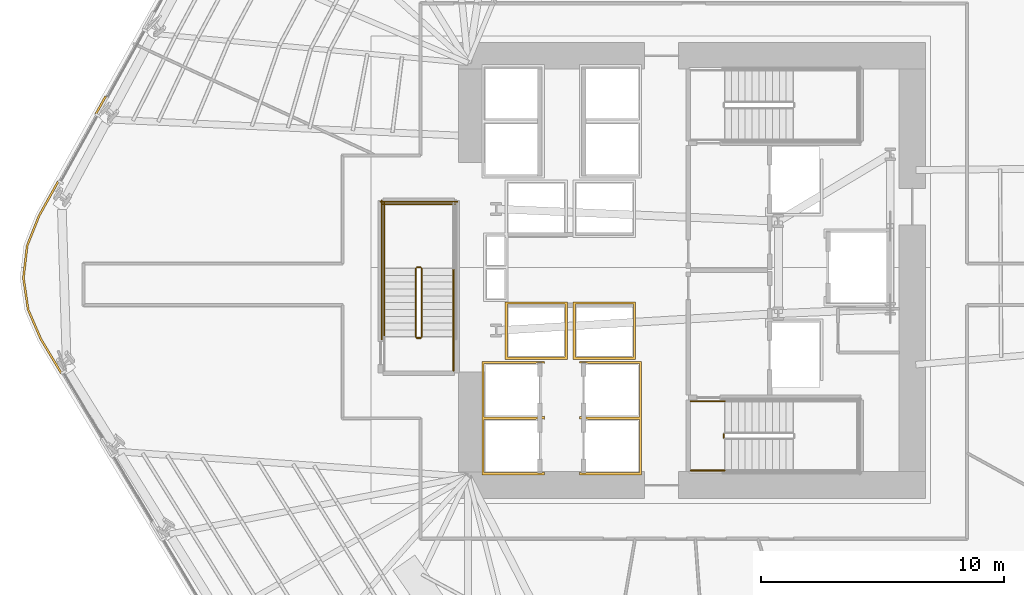
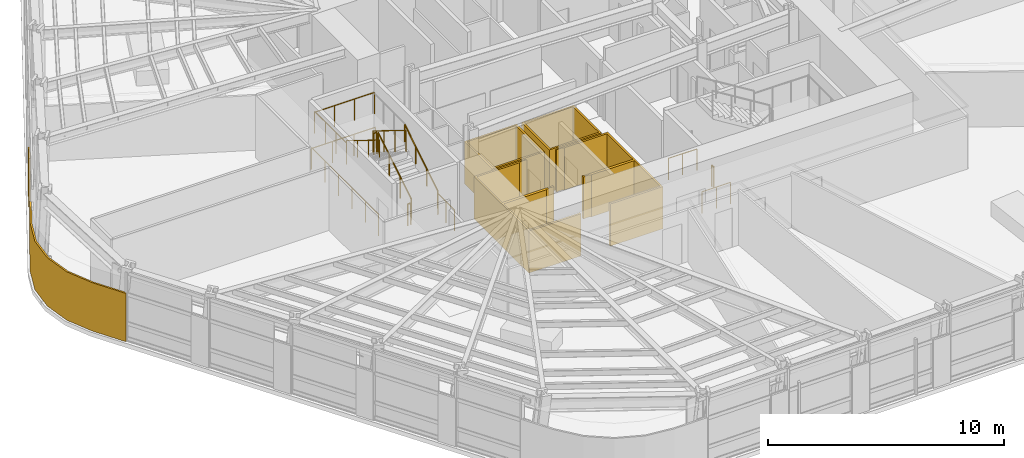
# One storey, part 11 of 15: 14 railings, 6 coverings.
"""IFC4 building model written with IfcOpenShell, lengths in metres."""

from ifc_helpers import new_model, si_unit, direction, frame, origin, origin_2d, place, context, subcontext, project, spatial, polyline, circle, outline, extrude, material, layer, layer_set, type_object, element, save


model = new_model("IFC4")

# Units and contexts
model_context = context("Model", 3, precision=1e-05, world=origin(), true_north=direction((0.0, 1.0)))
body_context = subcontext(model_context, "Body", "Model", "MODEL_VIEW")
ifc_project = project(units=[si_unit("LENGTHUNIT", "METRE"), si_unit("AREAUNIT", "SQUARE_METRE"), si_unit("VOLUMEUNIT", "CUBIC_METRE"), si_unit("PLANEANGLEUNIT", "RADIAN"), si_unit("MASSUNIT", "GRAM", prefix="KILO")], contexts=[model_context])

# Site, building, storey
site_placement = place(None, origin())
site = spatial("IfcSite", under=ifc_project, at=site_placement, CompositionType="ELEMENT")
building_placement = place(site_placement, origin())
building = spatial("IfcBuilding", under=site, at=building_placement, Name="Valkerne Bourse Tower", CompositionType="ELEMENT")
storey_placement = place(building_placement, frame((0.0, 0.0, 27.800048828125)))
storey = spatial("IfcBuildingStorey", under=building, at=storey_placement, Name="L06", CompositionType="ELEMENT", Elevation=27.800048828125)

# Coverings
ifc_material_1 = material(Name="Bronze Anodised Aluminium AA 6063-T6", Category="aluminium")
ifc_layer_1 = layer(ifc_material_1, 0.06005859375)
ifc_layer_set_1 = layer_set([ifc_layer_1], Name="Bronze Anodised Aluminium AA 6063-T6")
covering_type_1 = type_object("IfcCoveringType", Name="COV-CRN-ALUM", PredefinedType="CLADDING", material=ifc_layer_set_1)
covering_1_placement = place(storey_placement, origin())
element("IfcCovering", 1, at=covering_1_placement, inside=storey, type_object=covering_type_1, Name="L06 Wind-Shaped Corner Aluminium Cladding 11", PredefinedType="CLADDING", context=body_context, shape_type="SweptSolid", body=[
    extrude(outline(polyline([(20.01123046875, 24.023193359375), (19.47998046875, 25.2509765625), (19.285400390625, 26.56787109375), (19.4384765625, 27.89013671875), (19.930908203125, 29.1337890625), (20.726318359375, 30.559814453125), (20.796142578125, 30.52099609375), (20.00341796875, 29.099609375), (19.5166015625, 27.87060546875), (19.3662109375, 26.569091796875), (19.5576171875, 25.27294921875), (20.08251953125, 24.059814453125), (20.919677734375, 22.663818359375), (20.85107421875, 22.622802734375), (20.01123046875, 24.023193359375)])), origin(), (0.0, 0.0, 1.0), 2.5),
])
covering_2_placement = place(storey_placement, origin())
element("IfcCovering", 2, at=covering_2_placement, inside=storey, type_object=covering_type_1, Name="L06 Wind-Shaped Corner Aluminium Cladding 12", PredefinedType="CLADDING", context=body_context, shape_type="SweptSolid", body=[
    extrude(outline(polyline([(22.6728515625, 34.0498046875), (22.74267578125, 34.0107421875), (22.33349609375, 33.27734375), (22.263671875, 33.316162109375), (22.6728515625, 34.0498046875)])), origin(), (0.0, 0.0, 1.0), 2.5),
])
ifc_material_2 = material(Name="Gypsum Shaftwall Liner Board", Category="gypsum")
ifc_layer_2 = layer(ifc_material_2, 0.080078125)
ifc_layer_set_2 = layer_set([ifc_layer_2], Name="Gypsum Shaftwall Liner Board")
covering_type_2 = type_object("IfcCoveringType", Name="COV-SHF-CLAD", PredefinedType="CLADDING", material=ifc_layer_set_2)
covering_3_placement = place(storey_placement, origin())
element("IfcCovering", 3, at=covering_3_placement, inside=storey, type_object=covering_type_2, Name="L06 Hoistway & Riser Shaftwall Liner 01", PredefinedType="CLADDING", context=body_context, shape_type="SweptSolid", body=[
    extrude(outline(polyline([(38.169921875, 23.1298828125), (40.72998046875, 23.1298828125), (40.72998046875, 23.052001953125), (40.72216796875, 23.0556640625), (40.6806640625, 23.070556640625), (40.6376953125, 23.081298828125), (40.593994140625, 23.087890625), (40.550048828125, 23.090087890625), (40.505859375, 23.087890625), (40.462158203125, 23.081298828125), (40.41943359375, 23.070556640625), (40.377685546875, 23.0556640625), (40.344482421875, 23.0400390625), (38.260009765625, 23.0400390625), (38.260009765625, 20.860107421875), (40.456787109375, 20.860107421875), (40.462158203125, 20.858642578125), (40.505859375, 20.852294921875), (40.550048828125, 20.85009765625), (40.593994140625, 20.852294921875), (40.6376953125, 20.858642578125), (40.6806640625, 20.869384765625), (40.72216796875, 20.88427734375), (40.72998046875, 20.887939453125), (40.72998046875, 20.830078125), (40.72998046875, 20.77001953125), (40.72998046875, 20.752197265625), (40.72216796875, 20.755615234375), (40.6806640625, 20.7705078125), (40.6376953125, 20.781494140625), (40.593994140625, 20.787841796875), (40.550048828125, 20.7900390625), (40.505859375, 20.787841796875), (40.462158203125, 20.781494140625), (40.41943359375, 20.7705078125), (40.377685546875, 20.755615234375), (40.344482421875, 20.739990234375), (38.260009765625, 20.739990234375), (38.260009765625, 18.56005859375), (40.456787109375, 18.56005859375), (40.462158203125, 18.55859375), (40.505859375, 18.55224609375), (40.550048828125, 18.550048828125), (40.593994140625, 18.55224609375), (40.6376953125, 18.55859375), (40.6806640625, 18.5693359375), (40.72216796875, 18.584228515625), (40.72998046875, 18.587890625), (40.72998046875, 18.469970703125), (38.169921875, 18.469970703125), (38.169921875, 20.77001953125), (38.169921875, 20.830078125), (38.169921875, 23.1298828125)])), origin(), (0.0, 0.0, 1.0), 2.179931640625),
])
covering_4_placement = place(storey_placement, origin())
element("IfcCovering", 4, at=covering_4_placement, inside=storey, type_object=covering_type_2, Name="L06 Hoistway & Riser Shaftwall Liner 02", PredefinedType="CLADDING", context=body_context, shape_type="SweptSolid", body=[
    extrude(outline(polyline([(41.679931640625, 23.219970703125), (39.1201171875, 23.219970703125), (39.1201171875, 25.580078125), (41.679931640625, 25.580078125), (41.679931640625, 23.219970703125)]), holes=[polyline([(39.2099609375, 25.489990234375), (39.2099609375, 23.31005859375), (41.590087890625, 23.31005859375), (41.590087890625, 25.489990234375), (39.2099609375, 25.489990234375)])]), origin(), (0.0, 0.0, 1.0), 2.179931640625),
])
covering_5_placement = place(storey_placement, origin())
element("IfcCovering", 5, at=covering_5_placement, inside=storey, type_object=covering_type_2, Name="L06 Hoistway & Riser Shaftwall Liner 03", PredefinedType="CLADDING", context=body_context, shape_type="SweptSolid", body=[
    extrude(outline(polyline([(44.47998046875, 23.219970703125), (41.919921875, 23.219970703125), (41.919921875, 25.580078125), (44.47998046875, 25.580078125), (44.47998046875, 23.219970703125)]), holes=[polyline([(42.010009765625, 25.489990234375), (42.010009765625, 23.31005859375), (44.389892578125, 23.31005859375), (44.389892578125, 25.489990234375), (42.010009765625, 25.489990234375)])]), origin(), (0.0, 0.0, 1.0), 2.179931640625),
])
covering_6_placement = place(storey_placement, origin())
element("IfcCovering", 6, at=covering_6_placement, inside=storey, type_object=covering_type_2, Name="L06 Hoistway & Riser Shaftwall Liner 06", PredefinedType="CLADDING", context=body_context, shape_type="SweptSolid", body=[
    extrude(outline(polyline([(42.169921875, 20.830078125), (42.169921875, 20.887939453125), (42.177734375, 20.88427734375), (42.219482421875, 20.869384765625), (42.26220703125, 20.858642578125), (42.305908203125, 20.852294921875), (42.35009765625, 20.85009765625), (42.39404296875, 20.852294921875), (42.437744140625, 20.858642578125), (42.443115234375, 20.860107421875), (44.639892578125, 20.860107421875), (44.639892578125, 23.0400390625), (42.555419921875, 23.0400390625), (42.522216796875, 23.0556640625), (42.480712890625, 23.070556640625), (42.437744140625, 23.081298828125), (42.39404296875, 23.087890625), (42.35009765625, 23.090087890625), (42.305908203125, 23.087890625), (42.26220703125, 23.081298828125), (42.219482421875, 23.070556640625), (42.177734375, 23.0556640625), (42.169921875, 23.052001953125), (42.169921875, 23.1298828125), (44.72998046875, 23.1298828125), (44.72998046875, 20.830078125), (44.72998046875, 20.77001953125), (44.72998046875, 18.469970703125), (42.169921875, 18.469970703125), (42.169921875, 18.587890625), (42.177734375, 18.584228515625), (42.219482421875, 18.5693359375), (42.26220703125, 18.55859375), (42.305908203125, 18.55224609375), (42.35009765625, 18.550048828125), (42.39404296875, 18.55224609375), (42.437744140625, 18.55859375), (42.443115234375, 18.56005859375), (44.639892578125, 18.56005859375), (44.639892578125, 20.739990234375), (42.555419921875, 20.739990234375), (42.522216796875, 20.755615234375), (42.480712890625, 20.7705078125), (42.437744140625, 20.781494140625), (42.39404296875, 20.787841796875), (42.35009765625, 20.7900390625), (42.305908203125, 20.787841796875), (42.26220703125, 20.781494140625), (42.219482421875, 20.7705078125), (42.177734375, 20.755615234375), (42.169921875, 20.752197265625), (42.169921875, 20.77001953125), (42.169921875, 20.830078125)])), origin(), (0.0, 0.0, 1.0), 2.179931640625),
])

# Railings
ifc_material_3 = material(Name="Galvanised Painted Steel", Category="steel")
railing_type_1 = type_object("IfcRailingType", Name="RLG-ST-GUARD-1120", PredefinedType="GUARDRAIL", material=ifc_material_3)
railing_1_placement = place(storey_placement, frame((48.10009765625, 20.0, 0.0)))
element("IfcRailing", 7, at=railing_1_placement, inside=storey, type_object=railing_type_1, Name="L06 ST-1 stair guard 7", PredefinedType="GUARDRAIL", context=body_context, shape_type="SweptSolid", body=[
    extrude(circle(Radius=0.02392578125, at=origin_2d()), frame((0.0, 0.0, 1.09619140625), z_axis=(0.0, 1.0, 0.0), x_axis=(-1.0, 0.0, 0.0)), (0.0, 0.0, 1.0), 0.14990234375),
    extrude(circle(Radius=0.02099609375, at=origin_2d()), origin(), (0.0, 0.0, 1.0), 1.072021484375),
    extrude(circle(Radius=0.02099609375, at=origin_2d()), frame((0.0, 0.14990234375, 0.0)), (0.0, 0.0, 1.0), 1.072021484375),
])
for number, where, name in (
    (8, (46.75, 18.64990234375, 0.0), "L06 ST-1 stair guard 8"),
    (9, (46.75, 21.5, 0.0), "L06 ST-1 stair guard 9"),
):
    element("IfcRailing", number, at=place(storey_placement, frame(where)), inside=storey, type_object=railing_type_1, Name=name, PredefinedType="GUARDRAIL", context=body_context, shape_type="SweptSolid", body=[
        extrude(circle(Radius=0.02392578125, at=origin_2d()), frame((0.0, 0.0, 1.09619140625), z_axis=(1.0, 0.0, 0.0), x_axis=(0.0, 1.0, 0.0)), (0.0, 0.0, 1.0), 1.39990234375),
        extrude(circle(Radius=0.02099609375, at=origin_2d()), origin(), (0.0, 0.0, 1.0), 1.072021484375),
        extrude(circle(Radius=0.02099609375, at=origin_2d()), frame((0.699951171875, 0.0, 0.0)), (0.0, 0.0, 1.0), 1.072021484375),
        extrude(circle(Radius=0.02099609375, at=origin_2d()), frame((1.39990234375, 0.0, 0.0)), (0.0, 0.0, 1.0), 1.072021484375),
    ])
railing_2_placement = place(storey_placement, frame((35.699951171875, 24.14990234375, 0.172607421875)))
element("IfcRailing", 10, at=railing_2_placement, inside=storey, type_object=railing_type_1, Name="L06 ST-3 stair guard 1", PredefinedType="GUARDRAIL", context=body_context, shape_type="SweptSolid", body=[
    extrude(circle(Radius=0.02392578125, at=origin_2d()), frame((0.0, 0.0, 1.09619140625), z_axis=(0.0, 0.851089632645, 0.525020415988), x_axis=(-1.0, 0.0, 0.0)), (0.0, 0.0, 1.0), 3.2900390625),
    extrude(circle(Radius=0.02099609375, at=origin_2d()), origin(), (0.0, 0.0, 1.0), 1.072021484375),
    extrude(circle(Radius=0.02099609375, at=origin_2d()), frame((0.0, 0.933349609375, 0.57568359375)), (0.0, 0.0, 1.0), 1.072021484375),
    extrude(circle(Radius=0.02099609375, at=origin_2d()), frame((0.0, 1.86669921875, 1.151611328125)), (0.0, 0.0, 1.0), 1.072021484375),
    extrude(circle(Radius=0.02099609375, at=origin_2d()), frame((0.0, 2.800048828125, 1.727294921875)), (0.0, 0.0, 1.0), 1.072021484375),
])
railing_3_placement = place(storey_placement, frame((35.64990234375, 27.0, 1.89990234375)))
element("IfcRailing", 11, at=railing_3_placement, inside=storey, type_object=railing_type_1, Name="L06 ST-3 stair guard 2", PredefinedType="GUARDRAIL", context=body_context, shape_type="SweptSolid", body=[
    extrude(circle(Radius=0.02392578125, at=origin_2d()), frame((0.0, 0.0, 1.09619140625), z_axis=(-1.0, 0.0, 0.0), x_axis=(0.0, -1.0, 0.0)), (0.0, 0.0, 1.0), 0.14990234375),
    extrude(circle(Radius=0.02099609375, at=origin_2d()), origin(), (0.0, 0.0, 1.0), 1.072021484375),
    extrude(circle(Radius=0.02099609375, at=origin_2d()), frame((-0.14990234375, 0.0, 0.0)), (0.0, 0.0, 1.0), 1.072021484375),
])
railing_4_placement = place(storey_placement, frame((34.14990234375, 26.949951171875, 1.89990234375)))
element("IfcRailing", 12, at=railing_4_placement, inside=storey, type_object=railing_type_1, Name="L06 ST-3 stair guard 4", PredefinedType="GUARDRAIL", context=body_context, shape_type="SweptSolid", body=[
    extrude(circle(Radius=0.02392578125, at=origin_2d()), frame((0.0, 0.0, 1.09619140625), z_axis=(0.0, 1.0, 0.0), x_axis=(-1.0, 0.0, 0.0)), (0.0, 0.0, 1.0), 2.699951171875),
    extrude(circle(Radius=0.02099609375, at=origin_2d()), origin(), (0.0, 0.0, 1.0), 1.072021484375),
    extrude(circle(Radius=0.02099609375, at=origin_2d()), frame((0.0, 0.89990234375, 0.0)), (0.0, 0.0, 1.0), 1.072021484375),
    extrude(circle(Radius=0.02099609375, at=origin_2d()), frame((0.0, 1.800048828125, 0.0)), (0.0, 0.0, 1.0), 1.072021484375),
    extrude(circle(Radius=0.02099609375, at=origin_2d()), frame((0.0, 2.699951171875, 0.0)), (0.0, 0.0, 1.0), 1.072021484375),
])
railing_5_placement = place(storey_placement, frame((37.050048828125, 29.60009765625, 1.89990234375)))
element("IfcRailing", 13, at=railing_5_placement, inside=storey, type_object=railing_type_1, Name="L06 ST-3 stair guard 5", PredefinedType="GUARDRAIL", context=body_context, shape_type="SweptSolid", body=[
    extrude(circle(Radius=0.02392578125, at=origin_2d()), frame((0.0, 0.0, 1.09619140625), z_axis=(-1.0, 0.0, 0.0), x_axis=(0.0, -1.0, 0.0)), (0.0, 0.0, 1.0), 2.949951171875),
    extrude(circle(Radius=0.02099609375, at=origin_2d()), origin(), (0.0, 0.0, 1.0), 1.072021484375),
    extrude(circle(Radius=0.02099609375, at=origin_2d()), frame((-0.9833984375, 0.0, 0.0)), (0.0, 0.0, 1.0), 1.072021484375),
    extrude(circle(Radius=0.02099609375, at=origin_2d()), frame((-1.966552734375, 0.0, 0.0)), (0.0, 0.0, 1.0), 1.072021484375),
    extrude(circle(Radius=0.02099609375, at=origin_2d()), frame((-2.949951171875, 0.0, 0.0)), (0.0, 0.0, 1.0), 1.072021484375),
])
railing_6_placement = place(storey_placement, frame((35.449951171875, 26.949951171875, 2.07275390625)))
element("IfcRailing", 14, at=railing_6_placement, inside=storey, type_object=railing_type_1, Name="L06 ST-3 stair guard 6", PredefinedType="GUARDRAIL", context=body_context, shape_type="SweptSolid", body=[
    extrude(circle(Radius=0.02392578125, at=origin_2d()), frame((0.0, 0.0, 1.09619140625), z_axis=(0.0, -0.851089632645, 0.525020415988), x_axis=(1.0, 0.0, 0.0)), (0.0, 0.0, 1.0), 3.2900390625),
    extrude(circle(Radius=0.02099609375, at=origin_2d()), origin(), (0.0, 0.0, 1.0), 1.072021484375),
    extrude(circle(Radius=0.02099609375, at=origin_2d()), frame((0.0, -0.933349609375, 0.57568359375)), (0.0, 0.0, 1.0), 1.072021484375),
    extrude(circle(Radius=0.02099609375, at=origin_2d()), frame((0.0, -1.86669921875, 1.151611328125)), (0.0, 0.0, 1.0), 1.072021484375),
    extrude(circle(Radius=0.02099609375, at=origin_2d()), frame((0.0, -2.800048828125, 1.727294921875)), (0.0, 0.0, 1.0), 1.072021484375),
])
railing_7_placement = place(storey_placement, frame((35.64990234375, 24.10009765625, 0.0)))
element("IfcRailing", 15, at=railing_7_placement, inside=storey, type_object=railing_type_1, Name="L06 ST-3 stair guard 7", PredefinedType="GUARDRAIL", context=body_context, shape_type="SweptSolid", body=[
    extrude(circle(Radius=0.02392578125, at=origin_2d()), frame((0.0, 0.0, 1.09619140625), z_axis=(-1.0, 0.0, 0.0), x_axis=(0.0, -1.0, 0.0)), (0.0, 0.0, 1.0), 0.14990234375),
    extrude(circle(Radius=0.02099609375, at=origin_2d()), origin(), (0.0, 0.0, 1.0), 1.072021484375),
    extrude(circle(Radius=0.02099609375, at=origin_2d()), frame((-0.14990234375, 0.0, 0.0)), (0.0, 0.0, 1.0), 1.072021484375),
])
railing_8_placement = place(storey_placement, frame((37.0, 22.75, 0.0)))
element("IfcRailing", 16, at=railing_8_placement, inside=storey, type_object=railing_type_1, Name="L06 ST-3 stair guard 8", PredefinedType="GUARDRAIL", context=body_context, shape_type="SweptSolid", body=[
    extrude(circle(Radius=0.02392578125, at=origin_2d()), frame((0.0, 0.0, 1.09619140625), z_axis=(0.0, 1.0, 0.0), x_axis=(-1.0, 0.0, 0.0)), (0.0, 0.0, 1.0), 1.39990234375),
    extrude(circle(Radius=0.02099609375, at=origin_2d()), origin(), (0.0, 0.0, 1.0), 1.072021484375),
    extrude(circle(Radius=0.02099609375, at=origin_2d()), frame((0.0, 0.699951171875, 0.0)), (0.0, 0.0, 1.0), 1.072021484375),
    extrude(circle(Radius=0.02099609375, at=origin_2d()), frame((0.0, 1.39990234375, 0.0)), (0.0, 0.0, 1.0), 1.072021484375),
])
railing_9_placement = place(storey_placement, frame((34.050048828125, 24.050048828125, 0.0)))
element("IfcRailing", 17, at=railing_9_placement, inside=storey, type_object=railing_type_1, Name="L06 ST-3 stair guard 11", PredefinedType="GUARDRAIL", context=body_context, shape_type="SweptSolid", body=[
    extrude(circle(Radius=0.02392578125, at=origin_2d()), frame((0.0, 0.0, 1.09619140625), z_axis=(0.0, 1.0, 0.0), x_axis=(-1.0, 0.0, 0.0)), (0.0, 0.0, 1.0), 5.699951171875),
    extrude(circle(Radius=0.02099609375, at=origin_2d()), origin(), (0.0, 0.0, 1.0), 1.072021484375),
    extrude(circle(Radius=0.02099609375, at=origin_2d()), frame((0.0, 1.139892578125, 0.0)), (0.0, 0.0, 1.0), 1.072021484375),
    extrude(circle(Radius=0.02099609375, at=origin_2d()), frame((0.0, 2.280029296875, 0.0)), (0.0, 0.0, 1.0), 1.072021484375),
    extrude(circle(Radius=0.02099609375, at=origin_2d()), frame((0.0, 3.419921875, 0.0)), (0.0, 0.0, 1.0), 1.072021484375),
    extrude(circle(Radius=0.02099609375, at=origin_2d()), frame((0.0, 4.56005859375, 0.0)), (0.0, 0.0, 1.0), 1.072021484375),
    extrude(circle(Radius=0.02099609375, at=origin_2d()), frame((0.0, 5.699951171875, 0.0)), (0.0, 0.0, 1.0), 1.072021484375),
])
railing_10_placement = place(storey_placement, frame((37.14990234375, 29.699951171875, 0.0)))
element("IfcRailing", 18, at=railing_10_placement, inside=storey, type_object=railing_type_1, Name="L06 ST-3 stair guard 12", PredefinedType="GUARDRAIL", context=body_context, shape_type="SweptSolid", body=[
    extrude(circle(Radius=0.02392578125, at=origin_2d()), frame((0.0, 0.0, 1.09619140625), z_axis=(-1.0, 0.0, 0.0), x_axis=(0.0, -1.0, 0.0)), (0.0, 0.0, 1.0), 3.14990234375),
    extrude(circle(Radius=0.02099609375, at=origin_2d()), origin(), (0.0, 0.0, 1.0), 1.072021484375),
    extrude(circle(Radius=0.02099609375, at=origin_2d()), frame((-1.050048828125, 0.0, 0.0)), (0.0, 0.0, 1.0), 1.072021484375),
    extrude(circle(Radius=0.02099609375, at=origin_2d()), frame((-2.099853515625, 0.0, 0.0)), (0.0, 0.0, 1.0), 1.072021484375),
    extrude(circle(Radius=0.02099609375, at=origin_2d()), frame((-3.14990234375, 0.0, 0.0)), (0.0, 0.0, 1.0), 1.072021484375),
])
ifc_material_4 = material(Name="Stainless Steel AISI 316", Category="steel")
railing_type_2 = type_object("IfcRailingType", Name="RLG-ST-HANDRAIL-900", PredefinedType="HANDRAIL", material=ifc_material_4)
railing_11_placement = place(storey_placement, frame((37.0, 24.14990234375, 0.345458984375)))
element("IfcRailing", 19, at=railing_11_placement, inside=storey, type_object=railing_type_2, Name="L06 ST-3 stair handrail 1", PredefinedType="HANDRAIL", context=body_context, shape_type="SweptSolid", body=[
    extrude(circle(Radius=0.02392578125, at=origin_2d()), frame((0.0, 0.0, 0.8759765625), z_axis=(0.0, 0.851089632645, 0.525020415988), x_axis=(-1.0, 0.0, 0.0)), (0.0, 0.0, 1.0), 3.2900390625),
    extrude(circle(Radius=0.02099609375, at=origin_2d()), origin(), (0.0, 0.0, 1.0), 0.851806640625),
    extrude(circle(Radius=0.02099609375, at=origin_2d()), frame((0.0, 0.933349609375, 0.57568359375)), (0.0, 0.0, 1.0), 0.851806640625),
    extrude(circle(Radius=0.02099609375, at=origin_2d()), frame((0.0, 1.86669921875, 1.151611328125)), (0.0, 0.0, 1.0), 0.851806640625),
    extrude(circle(Radius=0.02099609375, at=origin_2d()), frame((0.0, 2.800048828125, 1.727294921875)), (0.0, 0.0, 1.0), 0.851806640625),
])
railing_12_placement = place(storey_placement, frame((34.14990234375, 26.949951171875, 2.245361328125)))
element("IfcRailing", 20, at=railing_12_placement, inside=storey, type_object=railing_type_2, Name="L06 ST-3 stair handrail 2", PredefinedType="HANDRAIL", context=body_context, shape_type="SweptSolid", body=[
    extrude(circle(Radius=0.02392578125, at=origin_2d()), frame((0.0, 0.0, 0.8759765625), z_axis=(0.0, -0.851089632645, 0.525020415988), x_axis=(1.0, 0.0, 0.0)), (0.0, 0.0, 1.0), 3.2900390625),
    extrude(circle(Radius=0.02099609375, at=origin_2d()), origin(), (0.0, 0.0, 1.0), 0.851806640625),
    extrude(circle(Radius=0.02099609375, at=origin_2d()), frame((0.0, -0.933349609375, 0.57568359375)), (0.0, 0.0, 1.0), 0.851806640625),
    extrude(circle(Radius=0.02099609375, at=origin_2d()), frame((0.0, -1.86669921875, 1.151611328125)), (0.0, 0.0, 1.0), 0.851806640625),
    extrude(circle(Radius=0.02099609375, at=origin_2d()), frame((0.0, -2.800048828125, 1.727294921875)), (0.0, 0.0, 1.0), 0.851806640625),
])

save(model, "model.ifc")
